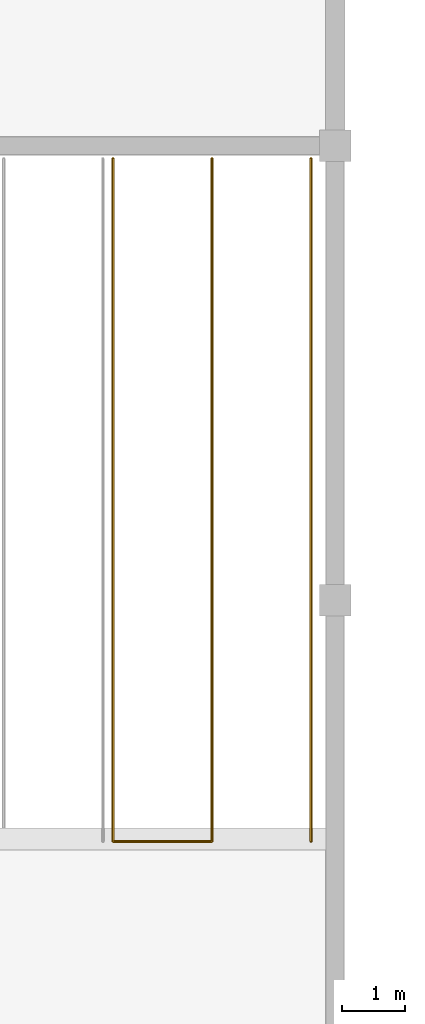
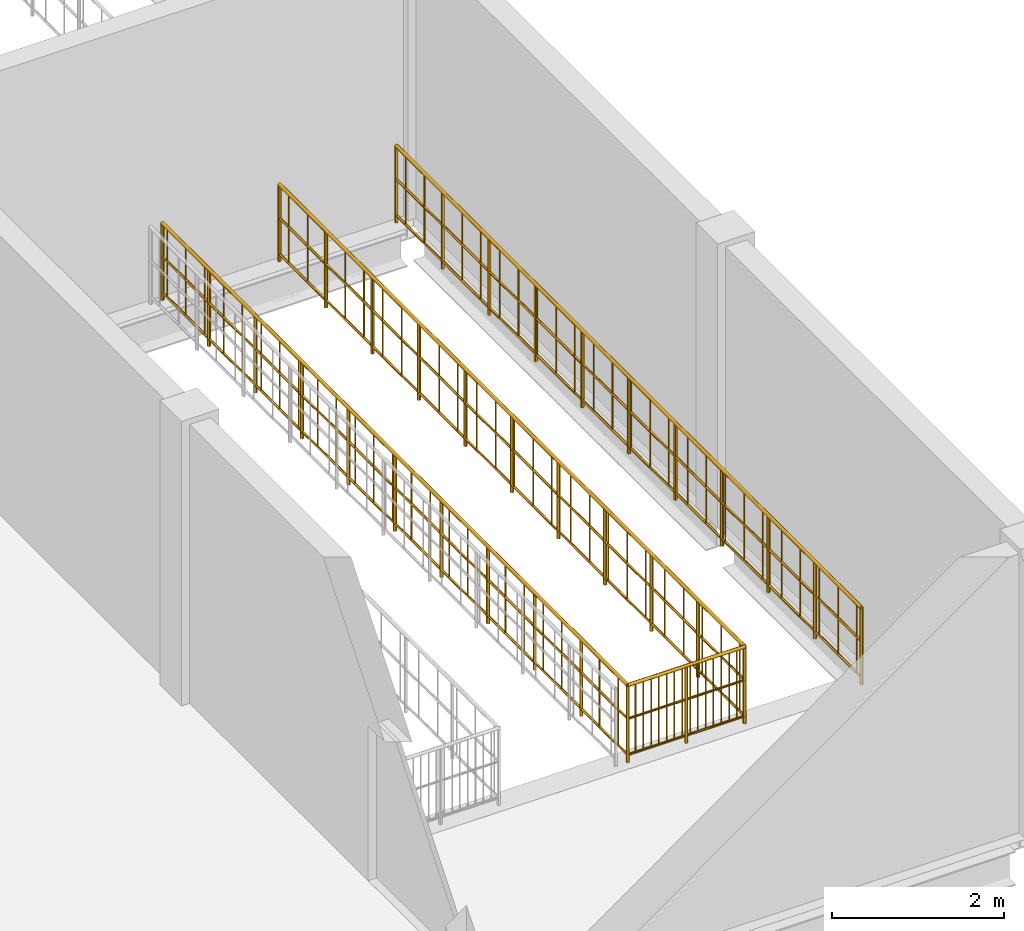
# One storey, part 47 of 51: 2 railings.
"""IFC4 building model written with IfcOpenShell, lengths in metres."""

from ifc_helpers import new_model, si_unit, direction, frame, origin, origin_2d, place, context, subcontext, project, spatial, circle, extrude, material, type_object, element, save


model = new_model("IFC4")

# Units and contexts
model_context = context("Model", 3, precision=1e-05, world=origin(), true_north=direction((0.0, 1.0)))
body_context = subcontext(model_context, "Body", "Model", "MODEL_VIEW")
ifc_project = project(units=[si_unit("LENGTHUNIT", "METRE"), si_unit("AREAUNIT", "SQUARE_METRE"), si_unit("VOLUMEUNIT", "CUBIC_METRE"), si_unit("PLANEANGLEUNIT", "RADIAN"), si_unit("MASSUNIT", "GRAM", prefix="KILO")], contexts=[model_context])

# Site, building, storey
site_placement = place(None, origin())
site = spatial("IfcSite", under=ifc_project, at=site_placement, CompositionType="ELEMENT")
building_placement = place(site_placement, origin())
building = spatial("IfcBuilding", under=site, at=building_placement, Name="Vesperath Aquatics Centre", CompositionType="ELEMENT")
storey_placement = place(building_placement, frame((0.0, 0.0, 15.0)))
storey = spatial("IfcBuildingStorey", under=building, at=storey_placement, Name="L03", CompositionType="ELEMENT", Elevation=15.0)

# Railings
ifc_material = material(Name="Powder-coated galvanized steel safety guard", Category="steel")
railing_type = type_object("IfcRailingType", Name="RL-GRD01", PredefinedType="GUARDRAIL", material=ifc_material)
railing_1_placement = place(storey_placement, frame((169.280029296875, 64.60009765625, 0.0)))
element("IfcRailing", 1, at=railing_1_placement, inside=storey, type_object=railing_type, Name="Stair ST12B Top Well Guard GR02 L03", PredefinedType="GUARDRAIL", context=body_context, shape_type="SweptSolid", body=[
    extrude(circle(Radius=0.02392578125, at=origin_2d()), frame((0.0, 0.0, 1.0859375), z_axis=(0.0, -1.0, 0.0), x_axis=(1.0, 0.0, 0.0)), (0.0, 0.0, 1.0), 10.820068359375),
    extrude(circle(Radius=0.01611328125, at=origin_2d()), frame((0.0, 0.0, 0.10009765625), z_axis=(0.0, -1.0, 0.0), x_axis=(1.0, 0.0, 0.0)), (0.0, 0.0, 1.0), 10.820068359375),
    extrude(circle(Radius=0.01611328125, at=origin_2d()), frame((0.0, 0.0, 0.610595703125), z_axis=(0.0, -1.0, 0.0), x_axis=(1.0, 0.0, 0.0)), (0.0, 0.0, 1.0), 10.820068359375),
    extrude(circle(Radius=0.009033203125, at=origin_2d()), frame((0.0, -0.109375, 0.10009765625)), (0.0, 0.0, 1.0), 0.9619140625),
    extrude(circle(Radius=0.009033203125, at=origin_2d()), frame((0.0, -0.54638671875, 0.10009765625)), (0.0, 0.0, 1.0), 0.9619140625),
    extrude(circle(Radius=0.009033203125, at=origin_2d()), frame((0.0, -0.983642578125, 0.10009765625)), (0.0, 0.0, 1.0), 0.9619140625),
    extrude(circle(Radius=0.009033203125, at=origin_2d()), frame((0.0, -1.4208984375, 0.10009765625)), (0.0, 0.0, 1.0), 0.9619140625),
    extrude(circle(Radius=0.009033203125, at=origin_2d()), frame((0.0, -1.85791015625, 0.10009765625)), (0.0, 0.0, 1.0), 0.9619140625),
    extrude(circle(Radius=0.009033203125, at=origin_2d()), frame((0.0, -2.295166015625, 0.10009765625)), (0.0, 0.0, 1.0), 0.9619140625),
    extrude(circle(Radius=0.009033203125, at=origin_2d()), frame((0.0, -2.732421875, 0.10009765625)), (0.0, 0.0, 1.0), 0.9619140625),
    extrude(circle(Radius=0.009033203125, at=origin_2d()), frame((0.0, -3.16943359375, 0.10009765625)), (0.0, 0.0, 1.0), 0.9619140625),
    extrude(circle(Radius=0.009033203125, at=origin_2d()), frame((0.0, -3.606689453125, 0.10009765625)), (0.0, 0.0, 1.0), 0.9619140625),
    extrude(circle(Radius=0.009033203125, at=origin_2d()), frame((0.0, -4.0439453125, 0.10009765625)), (0.0, 0.0, 1.0), 0.9619140625),
    extrude(circle(Radius=0.009033203125, at=origin_2d()), frame((0.0, -4.48095703125, 0.10009765625)), (0.0, 0.0, 1.0), 0.9619140625),
    extrude(circle(Radius=0.009033203125, at=origin_2d()), frame((0.0, -4.918212890625, 0.10009765625)), (0.0, 0.0, 1.0), 0.9619140625),
    extrude(circle(Radius=0.009033203125, at=origin_2d()), frame((0.0, -5.35546875, 0.10009765625)), (0.0, 0.0, 1.0), 0.9619140625),
    extrude(circle(Radius=0.009033203125, at=origin_2d()), frame((0.0, -5.79248046875, 0.10009765625)), (0.0, 0.0, 1.0), 0.9619140625),
    extrude(circle(Radius=0.009033203125, at=origin_2d()), frame((0.0, -6.229736328125, 0.10009765625)), (0.0, 0.0, 1.0), 0.9619140625),
    extrude(circle(Radius=0.009033203125, at=origin_2d()), frame((0.0, -6.6669921875, 0.10009765625)), (0.0, 0.0, 1.0), 0.9619140625),
    extrude(circle(Radius=0.009033203125, at=origin_2d()), frame((0.0, -7.10400390625, 0.10009765625)), (0.0, 0.0, 1.0), 0.9619140625),
    extrude(circle(Radius=0.009033203125, at=origin_2d()), frame((0.0, -7.541259765625, 0.10009765625)), (0.0, 0.0, 1.0), 0.9619140625),
    extrude(circle(Radius=0.009033203125, at=origin_2d()), frame((0.0, -7.978515625, 0.10009765625)), (0.0, 0.0, 1.0), 0.9619140625),
    extrude(circle(Radius=0.009033203125, at=origin_2d()), frame((0.0, -8.41552734375, 0.10009765625)), (0.0, 0.0, 1.0), 0.9619140625),
    extrude(circle(Radius=0.009033203125, at=origin_2d()), frame((0.0, -8.852783203125, 0.10009765625)), (0.0, 0.0, 1.0), 0.9619140625),
    extrude(circle(Radius=0.009033203125, at=origin_2d()), frame((0.0, -9.2900390625, 0.10009765625)), (0.0, 0.0, 1.0), 0.9619140625),
    extrude(circle(Radius=0.009033203125, at=origin_2d()), frame((0.0, -9.72705078125, 0.10009765625)), (0.0, 0.0, 1.0), 0.9619140625),
    extrude(circle(Radius=0.009033203125, at=origin_2d()), frame((0.0, -10.164306640625, 0.10009765625)), (0.0, 0.0, 1.0), 0.9619140625),
    extrude(circle(Radius=0.009033203125, at=origin_2d()), frame((0.0, -10.6015625, 0.10009765625)), (0.0, 0.0, 1.0), 0.9619140625),
    extrude(circle(Radius=0.02392578125, at=origin_2d()), frame((0.0, -10.820068359375, 1.0859375), z_axis=(1.0, 0.0, 0.0), x_axis=(0.0, 1.0, 0.0)), (0.0, 0.0, 1.0), 1.570068359375),
    extrude(circle(Radius=0.01611328125, at=origin_2d()), frame((0.0, -10.820068359375, 0.10009765625), z_axis=(1.0, 0.0, 0.0), x_axis=(0.0, 1.0, 0.0)), (0.0, 0.0, 1.0), 1.570068359375),
    extrude(circle(Radius=0.01611328125, at=origin_2d()), frame((0.0, -10.820068359375, 0.610595703125), z_axis=(1.0, 0.0, 0.0), x_axis=(0.0, 1.0, 0.0)), (0.0, 0.0, 1.0), 1.570068359375),
    extrude(circle(Radius=0.009033203125, at=origin_2d()), frame((0.104736328125, -10.820068359375, 0.10009765625)), (0.0, 0.0, 1.0), 0.9619140625),
    extrude(circle(Radius=0.009033203125, at=origin_2d()), frame((0.209228515625, -10.820068359375, 0.10009765625)), (0.0, 0.0, 1.0), 0.9619140625),
    extrude(circle(Radius=0.009033203125, at=origin_2d()), frame((0.31396484375, -10.820068359375, 0.10009765625)), (0.0, 0.0, 1.0), 0.9619140625),
    extrude(circle(Radius=0.009033203125, at=origin_2d()), frame((0.418701171875, -10.820068359375, 0.10009765625)), (0.0, 0.0, 1.0), 0.9619140625),
    extrude(circle(Radius=0.009033203125, at=origin_2d()), frame((0.5234375, -10.820068359375, 0.10009765625)), (0.0, 0.0, 1.0), 0.9619140625),
    extrude(circle(Radius=0.009033203125, at=origin_2d()), frame((0.6279296875, -10.820068359375, 0.10009765625)), (0.0, 0.0, 1.0), 0.9619140625),
    extrude(circle(Radius=0.009033203125, at=origin_2d()), frame((0.732666015625, -10.820068359375, 0.10009765625)), (0.0, 0.0, 1.0), 0.9619140625),
    extrude(circle(Radius=0.009033203125, at=origin_2d()), frame((0.83740234375, -10.820068359375, 0.10009765625)), (0.0, 0.0, 1.0), 0.9619140625),
    extrude(circle(Radius=0.009033203125, at=origin_2d()), frame((0.942138671875, -10.820068359375, 0.10009765625)), (0.0, 0.0, 1.0), 0.9619140625),
    extrude(circle(Radius=0.009033203125, at=origin_2d()), frame((1.046630859375, -10.820068359375, 0.10009765625)), (0.0, 0.0, 1.0), 0.9619140625),
    extrude(circle(Radius=0.009033203125, at=origin_2d()), frame((1.1513671875, -10.820068359375, 0.10009765625)), (0.0, 0.0, 1.0), 0.9619140625),
    extrude(circle(Radius=0.009033203125, at=origin_2d()), frame((1.256103515625, -10.820068359375, 0.10009765625)), (0.0, 0.0, 1.0), 0.9619140625),
    extrude(circle(Radius=0.009033203125, at=origin_2d()), frame((1.36083984375, -10.820068359375, 0.10009765625)), (0.0, 0.0, 1.0), 0.9619140625),
    extrude(circle(Radius=0.009033203125, at=origin_2d()), frame((1.46533203125, -10.820068359375, 0.10009765625)), (0.0, 0.0, 1.0), 0.9619140625),
    extrude(circle(Radius=0.02392578125, at=origin_2d()), frame((1.570068359375, -10.820068359375, 1.0859375), z_axis=(0.0, 1.0, 0.0), x_axis=(-1.0, 0.0, 0.0)), (0.0, 0.0, 1.0), 10.820068359375),
    extrude(circle(Radius=0.01611328125, at=origin_2d()), frame((1.570068359375, -10.820068359375, 0.10009765625), z_axis=(0.0, 1.0, 0.0), x_axis=(-1.0, 0.0, 0.0)), (0.0, 0.0, 1.0), 10.820068359375),
    extrude(circle(Radius=0.01611328125, at=origin_2d()), frame((1.570068359375, -10.820068359375, 0.610595703125), z_axis=(0.0, 1.0, 0.0), x_axis=(-1.0, 0.0, 0.0)), (0.0, 0.0, 1.0), 10.820068359375),
    extrude(circle(Radius=0.009033203125, at=origin_2d()), frame((1.570068359375, -10.710693359375, 0.10009765625)), (0.0, 0.0, 1.0), 0.9619140625),
    extrude(circle(Radius=0.009033203125, at=origin_2d()), frame((1.570068359375, -10.273681640625, 0.10009765625)), (0.0, 0.0, 1.0), 0.9619140625),
    extrude(circle(Radius=0.009033203125, at=origin_2d()), frame((1.570068359375, -9.83642578125, 0.10009765625)), (0.0, 0.0, 1.0), 0.9619140625),
    extrude(circle(Radius=0.009033203125, at=origin_2d()), frame((1.570068359375, -9.399169921875, 0.10009765625)), (0.0, 0.0, 1.0), 0.9619140625),
    extrude(circle(Radius=0.009033203125, at=origin_2d()), frame((1.570068359375, -8.962158203125, 0.10009765625)), (0.0, 0.0, 1.0), 0.9619140625),
    extrude(circle(Radius=0.009033203125, at=origin_2d()), frame((1.570068359375, -8.52490234375, 0.10009765625)), (0.0, 0.0, 1.0), 0.9619140625),
    extrude(circle(Radius=0.009033203125, at=origin_2d()), frame((1.570068359375, -8.087646484375, 0.10009765625)), (0.0, 0.0, 1.0), 0.9619140625),
    extrude(circle(Radius=0.009033203125, at=origin_2d()), frame((1.570068359375, -7.650634765625, 0.10009765625)), (0.0, 0.0, 1.0), 0.9619140625),
    extrude(circle(Radius=0.009033203125, at=origin_2d()), frame((1.570068359375, -7.21337890625, 0.10009765625)), (0.0, 0.0, 1.0), 0.9619140625),
    extrude(circle(Radius=0.009033203125, at=origin_2d()), frame((1.570068359375, -6.776123046875, 0.10009765625)), (0.0, 0.0, 1.0), 0.9619140625),
    extrude(circle(Radius=0.009033203125, at=origin_2d()), frame((1.570068359375, -6.339111328125, 0.10009765625)), (0.0, 0.0, 1.0), 0.9619140625),
    extrude(circle(Radius=0.009033203125, at=origin_2d()), frame((1.570068359375, -5.90185546875, 0.10009765625)), (0.0, 0.0, 1.0), 0.9619140625),
    extrude(circle(Radius=0.009033203125, at=origin_2d()), frame((1.570068359375, -5.464599609375, 0.10009765625)), (0.0, 0.0, 1.0), 0.9619140625),
    extrude(circle(Radius=0.009033203125, at=origin_2d()), frame((1.570068359375, -5.027587890625, 0.10009765625)), (0.0, 0.0, 1.0), 0.9619140625),
    extrude(circle(Radius=0.009033203125, at=origin_2d()), frame((1.570068359375, -4.59033203125, 0.10009765625)), (0.0, 0.0, 1.0), 0.9619140625),
    extrude(circle(Radius=0.009033203125, at=origin_2d()), frame((1.570068359375, -4.153076171875, 0.10009765625)), (0.0, 0.0, 1.0), 0.9619140625),
    extrude(circle(Radius=0.009033203125, at=origin_2d()), frame((1.570068359375, -3.716064453125, 0.10009765625)), (0.0, 0.0, 1.0), 0.9619140625),
    extrude(circle(Radius=0.009033203125, at=origin_2d()), frame((1.570068359375, -3.27880859375, 0.10009765625)), (0.0, 0.0, 1.0), 0.9619140625),
    extrude(circle(Radius=0.009033203125, at=origin_2d()), frame((1.570068359375, -2.841552734375, 0.10009765625)), (0.0, 0.0, 1.0), 0.9619140625),
    extrude(circle(Radius=0.009033203125, at=origin_2d()), frame((1.570068359375, -2.404541015625, 0.10009765625)), (0.0, 0.0, 1.0), 0.9619140625),
    extrude(circle(Radius=0.009033203125, at=origin_2d()), frame((1.570068359375, -1.96728515625, 0.10009765625)), (0.0, 0.0, 1.0), 0.9619140625),
    extrude(circle(Radius=0.009033203125, at=origin_2d()), frame((1.570068359375, -1.530029296875, 0.10009765625)), (0.0, 0.0, 1.0), 0.9619140625),
    extrude(circle(Radius=0.009033203125, at=origin_2d()), frame((1.570068359375, -1.093017578125, 0.10009765625)), (0.0, 0.0, 1.0), 0.9619140625),
    extrude(circle(Radius=0.009033203125, at=origin_2d()), frame((1.570068359375, -0.65576171875, 0.10009765625)), (0.0, 0.0, 1.0), 0.9619140625),
    extrude(circle(Radius=0.009033203125, at=origin_2d()), frame((1.570068359375, -0.218505859375, 0.10009765625)), (0.0, 0.0, 1.0), 0.9619140625),
    extrude(circle(Radius=0.02197265625, at=origin_2d()), origin(), (0.0, 0.0, 1.0), 1.0859375),
    extrude(circle(Radius=0.02197265625, at=origin_2d()), frame((0.0, -1.08203125, 0.0)), (0.0, 0.0, 1.0), 1.0859375),
    extrude(circle(Radius=0.02197265625, at=origin_2d()), frame((0.0, -2.1640625, 0.0)), (0.0, 0.0, 1.0), 1.0859375),
    extrude(circle(Radius=0.02197265625, at=origin_2d()), frame((0.0, -3.24609375, 0.0)), (0.0, 0.0, 1.0), 1.0859375),
    extrude(circle(Radius=0.02197265625, at=origin_2d()), frame((0.0, -4.328125, 0.0)), (0.0, 0.0, 1.0), 1.0859375),
    extrude(circle(Radius=0.02197265625, at=origin_2d()), frame((0.0, -5.41015625, 0.0)), (0.0, 0.0, 1.0), 1.0859375),
    extrude(circle(Radius=0.02197265625, at=origin_2d()), frame((0.0, -6.491943359375, 0.0)), (0.0, 0.0, 1.0), 1.0859375),
    extrude(circle(Radius=0.02197265625, at=origin_2d()), frame((0.0, -7.573974609375, 0.0)), (0.0, 0.0, 1.0), 1.0859375),
    extrude(circle(Radius=0.02197265625, at=origin_2d()), frame((0.0, -8.656005859375, 0.0)), (0.0, 0.0, 1.0), 1.0859375),
    extrude(circle(Radius=0.02197265625, at=origin_2d()), frame((0.0, -9.738037109375, 0.0)), (0.0, 0.0, 1.0), 1.0859375),
    extrude(circle(Radius=0.02197265625, at=origin_2d()), frame((0.0, -10.820068359375, 0.0)), (0.0, 0.0, 1.0), 1.0859375),
    extrude(circle(Radius=0.02197265625, at=origin_2d()), frame((0.78515625, -10.820068359375, 0.0)), (0.0, 0.0, 1.0), 1.0859375),
    extrude(circle(Radius=0.02197265625, at=origin_2d()), frame((1.570068359375, -10.820068359375, 0.0)), (0.0, 0.0, 1.0), 1.0859375),
    extrude(circle(Radius=0.02197265625, at=origin_2d()), frame((1.570068359375, -9.738037109375, 0.0)), (0.0, 0.0, 1.0), 1.0859375),
    extrude(circle(Radius=0.02197265625, at=origin_2d()), frame((1.570068359375, -8.656005859375, 0.0)), (0.0, 0.0, 1.0), 1.0859375),
    extrude(circle(Radius=0.02197265625, at=origin_2d()), frame((1.570068359375, -7.573974609375, 0.0)), (0.0, 0.0, 1.0), 1.0859375),
    extrude(circle(Radius=0.02197265625, at=origin_2d()), frame((1.570068359375, -6.491943359375, 0.0)), (0.0, 0.0, 1.0), 1.0859375),
    extrude(circle(Radius=0.02197265625, at=origin_2d()), frame((1.570068359375, -5.41015625, 0.0)), (0.0, 0.0, 1.0), 1.0859375),
    extrude(circle(Radius=0.02197265625, at=origin_2d()), frame((1.570068359375, -4.328125, 0.0)), (0.0, 0.0, 1.0), 1.0859375),
    extrude(circle(Radius=0.02197265625, at=origin_2d()), frame((1.570068359375, -3.24609375, 0.0)), (0.0, 0.0, 1.0), 1.0859375),
    extrude(circle(Radius=0.02197265625, at=origin_2d()), frame((1.570068359375, -2.1640625, 0.0)), (0.0, 0.0, 1.0), 1.0859375),
    extrude(circle(Radius=0.02197265625, at=origin_2d()), frame((1.570068359375, -1.08203125, 0.0)), (0.0, 0.0, 1.0), 1.0859375),
    extrude(circle(Radius=0.02197265625, at=origin_2d()), frame((1.570068359375, 0.0, 0.0)), (0.0, 0.0, 1.0), 1.0859375),
])
railing_2_placement = place(storey_placement, frame((172.419921875, 53.780029296875, 0.0)))
element("IfcRailing", 2, at=railing_2_placement, inside=storey, type_object=railing_type, Name="Stair ST12B Top Side Guard GR02 L03", PredefinedType="GUARDRAIL", context=body_context, shape_type="SweptSolid", body=[
    extrude(circle(Radius=0.02392578125, at=origin_2d()), frame((0.0, 0.0, 1.0859375), z_axis=(0.0, 1.0, 0.0), x_axis=(-1.0, 0.0, 0.0)), (0.0, 0.0, 1.0), 10.820068359375),
    extrude(circle(Radius=0.01611328125, at=origin_2d()), frame((0.0, 0.0, 0.10009765625), z_axis=(0.0, 1.0, 0.0), x_axis=(-1.0, 0.0, 0.0)), (0.0, 0.0, 1.0), 10.820068359375),
    extrude(circle(Radius=0.01611328125, at=origin_2d()), frame((0.0, 0.0, 0.610595703125), z_axis=(0.0, 1.0, 0.0), x_axis=(-1.0, 0.0, 0.0)), (0.0, 0.0, 1.0), 10.820068359375),
    extrude(circle(Radius=0.009033203125, at=origin_2d()), frame((0.0, 0.109375, 0.10009765625)), (0.0, 0.0, 1.0), 0.9619140625),
    extrude(circle(Radius=0.009033203125, at=origin_2d()), frame((0.0, 0.54638671875, 0.10009765625)), (0.0, 0.0, 1.0), 0.9619140625),
    extrude(circle(Radius=0.009033203125, at=origin_2d()), frame((0.0, 0.983642578125, 0.10009765625)), (0.0, 0.0, 1.0), 0.9619140625),
    extrude(circle(Radius=0.009033203125, at=origin_2d()), frame((0.0, 1.4208984375, 0.10009765625)), (0.0, 0.0, 1.0), 0.9619140625),
    extrude(circle(Radius=0.009033203125, at=origin_2d()), frame((0.0, 1.85791015625, 0.10009765625)), (0.0, 0.0, 1.0), 0.9619140625),
    extrude(circle(Radius=0.009033203125, at=origin_2d()), frame((0.0, 2.295166015625, 0.10009765625)), (0.0, 0.0, 1.0), 0.9619140625),
    extrude(circle(Radius=0.009033203125, at=origin_2d()), frame((0.0, 2.732421875, 0.10009765625)), (0.0, 0.0, 1.0), 0.9619140625),
    extrude(circle(Radius=0.009033203125, at=origin_2d()), frame((0.0, 3.16943359375, 0.10009765625)), (0.0, 0.0, 1.0), 0.9619140625),
    extrude(circle(Radius=0.009033203125, at=origin_2d()), frame((0.0, 3.606689453125, 0.10009765625)), (0.0, 0.0, 1.0), 0.9619140625),
    extrude(circle(Radius=0.009033203125, at=origin_2d()), frame((0.0, 4.0439453125, 0.10009765625)), (0.0, 0.0, 1.0), 0.9619140625),
    extrude(circle(Radius=0.009033203125, at=origin_2d()), frame((0.0, 4.48095703125, 0.10009765625)), (0.0, 0.0, 1.0), 0.9619140625),
    extrude(circle(Radius=0.009033203125, at=origin_2d()), frame((0.0, 4.918212890625, 0.10009765625)), (0.0, 0.0, 1.0), 0.9619140625),
    extrude(circle(Radius=0.009033203125, at=origin_2d()), frame((0.0, 5.35546875, 0.10009765625)), (0.0, 0.0, 1.0), 0.9619140625),
    extrude(circle(Radius=0.009033203125, at=origin_2d()), frame((0.0, 5.79248046875, 0.10009765625)), (0.0, 0.0, 1.0), 0.9619140625),
    extrude(circle(Radius=0.009033203125, at=origin_2d()), frame((0.0, 6.229736328125, 0.10009765625)), (0.0, 0.0, 1.0), 0.9619140625),
    extrude(circle(Radius=0.009033203125, at=origin_2d()), frame((0.0, 6.6669921875, 0.10009765625)), (0.0, 0.0, 1.0), 0.9619140625),
    extrude(circle(Radius=0.009033203125, at=origin_2d()), frame((0.0, 7.10400390625, 0.10009765625)), (0.0, 0.0, 1.0), 0.9619140625),
    extrude(circle(Radius=0.009033203125, at=origin_2d()), frame((0.0, 7.541259765625, 0.10009765625)), (0.0, 0.0, 1.0), 0.9619140625),
    extrude(circle(Radius=0.009033203125, at=origin_2d()), frame((0.0, 7.978515625, 0.10009765625)), (0.0, 0.0, 1.0), 0.9619140625),
    extrude(circle(Radius=0.009033203125, at=origin_2d()), frame((0.0, 8.41552734375, 0.10009765625)), (0.0, 0.0, 1.0), 0.9619140625),
    extrude(circle(Radius=0.009033203125, at=origin_2d()), frame((0.0, 8.852783203125, 0.10009765625)), (0.0, 0.0, 1.0), 0.9619140625),
    extrude(circle(Radius=0.009033203125, at=origin_2d()), frame((0.0, 9.2900390625, 0.10009765625)), (0.0, 0.0, 1.0), 0.9619140625),
    extrude(circle(Radius=0.009033203125, at=origin_2d()), frame((0.0, 9.72705078125, 0.10009765625)), (0.0, 0.0, 1.0), 0.9619140625),
    extrude(circle(Radius=0.009033203125, at=origin_2d()), frame((0.0, 10.164306640625, 0.10009765625)), (0.0, 0.0, 1.0), 0.9619140625),
    extrude(circle(Radius=0.009033203125, at=origin_2d()), frame((0.0, 10.6015625, 0.10009765625)), (0.0, 0.0, 1.0), 0.9619140625),
    extrude(circle(Radius=0.02197265625, at=origin_2d()), origin(), (0.0, 0.0, 1.0), 1.0859375),
    extrude(circle(Radius=0.02197265625, at=origin_2d()), frame((0.0, 1.08203125, 0.0)), (0.0, 0.0, 1.0), 1.0859375),
    extrude(circle(Radius=0.02197265625, at=origin_2d()), frame((0.0, 2.1640625, 0.0)), (0.0, 0.0, 1.0), 1.0859375),
    extrude(circle(Radius=0.02197265625, at=origin_2d()), frame((0.0, 3.24609375, 0.0)), (0.0, 0.0, 1.0), 1.0859375),
    extrude(circle(Radius=0.02197265625, at=origin_2d()), frame((0.0, 4.328125, 0.0)), (0.0, 0.0, 1.0), 1.0859375),
    extrude(circle(Radius=0.02197265625, at=origin_2d()), frame((0.0, 5.41015625, 0.0)), (0.0, 0.0, 1.0), 1.0859375),
    extrude(circle(Radius=0.02197265625, at=origin_2d()), frame((0.0, 6.491943359375, 0.0)), (0.0, 0.0, 1.0), 1.0859375),
    extrude(circle(Radius=0.02197265625, at=origin_2d()), frame((0.0, 7.573974609375, 0.0)), (0.0, 0.0, 1.0), 1.0859375),
    extrude(circle(Radius=0.02197265625, at=origin_2d()), frame((0.0, 8.656005859375, 0.0)), (0.0, 0.0, 1.0), 1.0859375),
    extrude(circle(Radius=0.02197265625, at=origin_2d()), frame((0.0, 9.738037109375, 0.0)), (0.0, 0.0, 1.0), 1.0859375),
    extrude(circle(Radius=0.02197265625, at=origin_2d()), frame((0.0, 10.820068359375, 0.0)), (0.0, 0.0, 1.0), 1.0859375),
])

save(model, "model.ifc")
